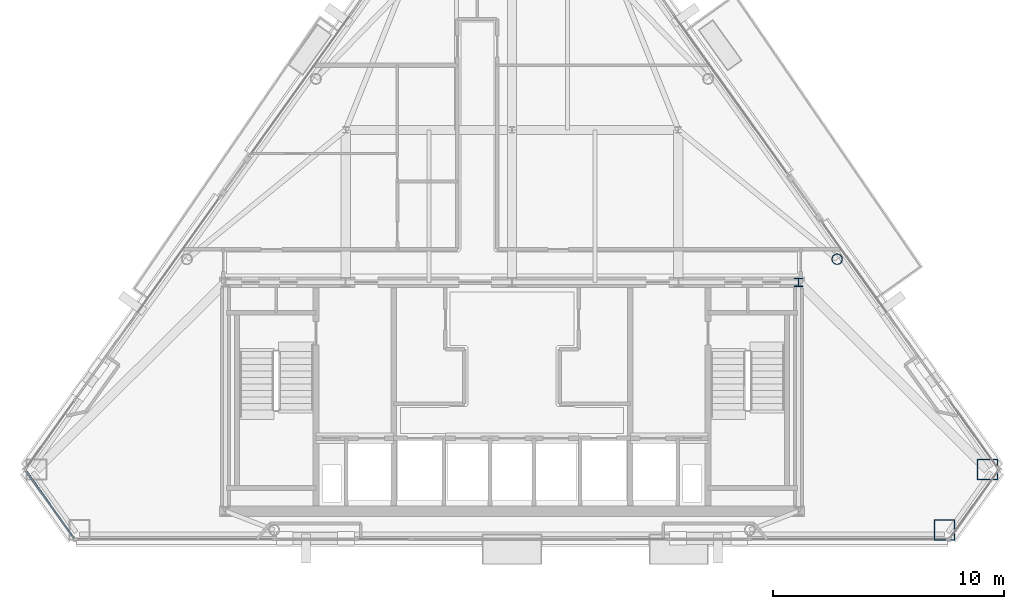
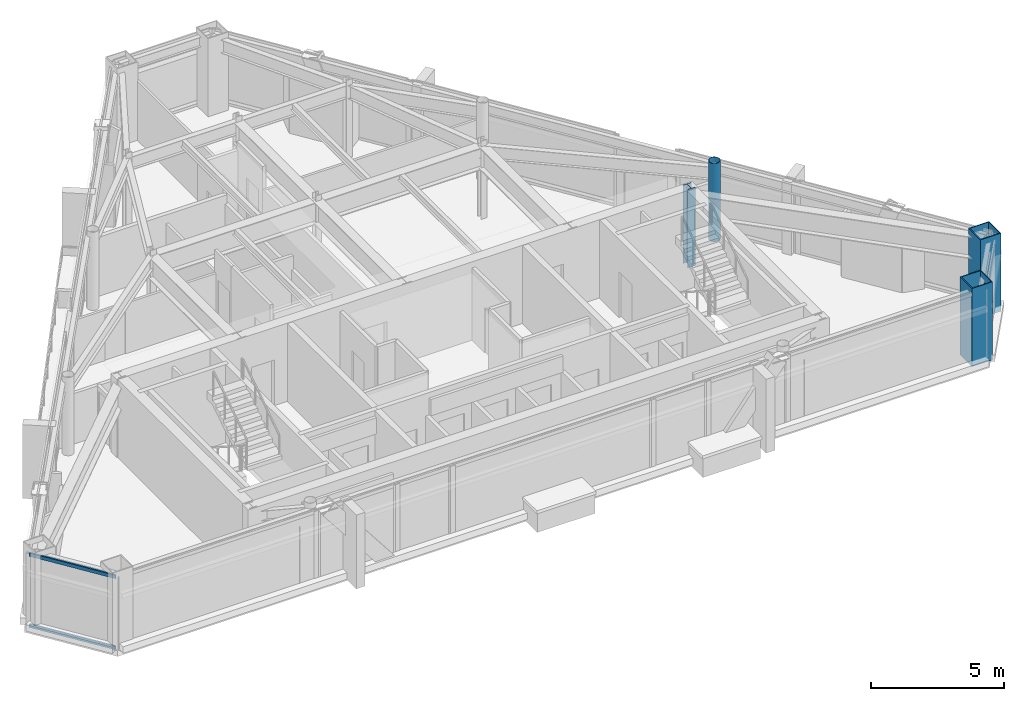
# One storey, part 3 of 12: 4 columns, 2 members, 1 element without a shape of its own.
"""IFC4 building model written with IfcOpenShell, lengths in metres."""

from ifc_helpers import new_model, si_unit, direction, frame, origin, origin_2d, place, context, subcontext, project, spatial, rectangle, hollow_rectangle, hollow_circle, i_section, extrude, material, layer, layer_set, material_profile, profile_set, type_object, element, aggregate, save


model = new_model("IFC4")

# Units and contexts
model_context = context("Model", 3, precision=1e-05, world=origin(), true_north=direction((0.0, 1.0)))
body_context = subcontext(model_context, "Body", "Model", "MODEL_VIEW")
ifc_project = project(units=[si_unit("LENGTHUNIT", "METRE"), si_unit("AREAUNIT", "SQUARE_METRE"), si_unit("VOLUMEUNIT", "CUBIC_METRE"), si_unit("PLANEANGLEUNIT", "RADIAN"), si_unit("MASSUNIT", "GRAM", prefix="KILO")], contexts=[model_context])

# Site, building, storey
site_placement = place(None, origin())
site = spatial("IfcSite", under=ifc_project, at=site_placement, CompositionType="ELEMENT")
building_placement = place(site_placement, origin())
building = spatial("IfcBuilding", under=site, at=building_placement, Name="Talgorran Terracotta Tower", CompositionType="ELEMENT")
storey_placement = place(building_placement, frame((0.0, 0.0, 270.60009765625)))
storey = spatial("IfcBuildingStorey", under=building, at=storey_placement, Name="L71", CompositionType="ELEMENT", Elevation=270.60009765625)

# Columns
ifc_material_1 = material(Name="Steel S355 (300PLUS)", Category="steel")
ifc_material_profile_1 = material_profile(ifc_material_1, i_section(OverallWidth=0.35205078125, OverallDepth=0.35888671875, WebThickness=0.01806640625, FlangeThickness=0.02587890625, at=origin_2d()), Name="350WC197")
ifc_profile_set_1 = profile_set([ifc_material_profile_1], Name="Steel S355 (300PLUS)")
column_type_1 = type_object("IfcColumnType", Name="COL_350WC197", PredefinedType="COLUMN", material=ifc_profile_set_1)
column_1_placement = place(storey_placement, frame((12.39990234375, -4.199951171875, 0.0), z_axis=(0.0, 0.0, 1.0), x_axis=(1.0, 0.0, 0.0)))
element("IfcColumn", 1, at=column_1_placement, inside=storey, type_object=column_type_1, Name="L71 Core Boundary Column CC3", PredefinedType="COLUMN", context=body_context, shape_type="SweptSolid", body=[
    extrude(i_section(OverallWidth=0.35205078125, OverallDepth=0.35888671875, WebThickness=0.01806640625, FlangeThickness=0.02587890625, at=origin_2d()), origin(), (0.0, 0.0, 1.0), 3.599853515625),
])
ifc_material_2 = material(Name="Steel Grade 350 (350L0)", Category="steel")
ifc_material_profile_2 = material_profile(ifc_material_2, hollow_rectangle(XDim=0.89990234375, YDim=0.89990234375, WallThickness=0.0400390625, at=origin_2d()), Name="CFT900X900X40")
ifc_profile_set_2 = profile_set([ifc_material_profile_2], Name="Steel Grade 350 (350L0)")
column_type_2 = type_object("IfcColumnType", Name="COL_CFT_900", PredefinedType="COLUMN", material=ifc_profile_set_2)
for number, where, z_axis, x_axis, name in (
    (2, (18.71435546875, -14.9189453125, 0.0), (0.0, 0.0, 1.0), (1.0, 0.0, 0.0), "L71 Corner CFT Mega-Column MC3"),
    (3, (20.5849609375, -12.303466796875, 0.0), (0.0, 0.0, 1.0), (1.0, 0.0, 0.0), "L71 Corner CFT Mega-Column MC4"),
):
    element("IfcColumn", number, at=place(storey_placement, frame(where, z_axis=z_axis, x_axis=x_axis)), inside=storey, type_object=column_type_2, Name=name, PredefinedType="COLUMN", context=body_context, shape_type="SweptSolid", body=[
        extrude(hollow_rectangle(XDim=0.89990234375, YDim=0.89990234375, WallThickness=0.0400390625, at=origin_2d()), origin(), (0.0, 0.0, 1.0), 3.599853515625),
    ])
ifc_material_3 = material(Name="Steel S350 (C350L0)", Category="steel")
ifc_material_profile_3 = material_profile(ifc_material_3, hollow_circle(Radius=0.228515625, WallThickness=0.01611328125, at=origin_2d()), Name="CHS457X16")
ifc_profile_set_3 = profile_set([ifc_material_profile_3], Name="Steel S350 (C350L0)")
column_type_3 = type_object("IfcColumnType", Name="COL_CHS_457", PredefinedType="COLUMN", material=ifc_profile_set_3)
column_2_placement = place(storey_placement, frame((14.071533203125, -3.1962890625, 0.0), z_axis=(0.0, 0.0, 1.0), x_axis=(1.0, 0.0, 0.0)))
element("IfcColumn", 4, at=column_2_placement, inside=storey, type_object=column_type_3, Name="L71 Facet Perimeter Column FC3", PredefinedType="COLUMN", context=body_context, shape_type="SweptSolid", body=[
    extrude(hollow_circle(Radius=0.228515625, WallThickness=0.01611328125, at=origin_2d()), origin(), (0.0, 0.0, 1.0), 3.599853515625),
])

# Curtain wall, members
ifc_material_4 = material(Name="High-Wind Unitised Glazing", Category="glass")
ifc_layer = layer(ifc_material_4, 0.2099609375, Name="CW_SYS3_RES_HIGH")
ifc_layer_set = layer_set([ifc_layer], Name="High-Wind Unitised Glazing")
curtain_wall_type = type_object("IfcCurtainWallType", Name="CW_SYS3_RES_HIGH", PredefinedType="NOTDEFINED", material=ifc_layer_set)
curtain_wall_placement = place(storey_placement, origin())
curtain_wall = element("IfcCurtainWall", 5, at=curtain_wall_placement, inside=storey, type_object=curtain_wall_type, Name="CW-L71-F0", PredefinedType="NOTDEFINED")
ifc_material_5 = material(Name="Architectural Aluminium 6063-T6", Category="aluminium")
ifc_material_profile_4 = material_profile(ifc_material_5, rectangle(XDim=0.070068359375, YDim=0.159912109375, at=origin_2d()), Name="CWT70X160")
ifc_profile_set_4 = profile_set([ifc_material_profile_4], Name="Architectural Aluminium 6063-T6")
member_type = type_object("IfcMemberType", Name="TRN_70X160", PredefinedType="USERDEFINED", material=ifc_profile_set_4)
member_1_placement = place(storey_placement, frame((-21.035888671875, -12.3603515625, 0.034912109375), z_axis=(0.581723630641, -0.813386511785, 0.0), x_axis=(0.813386511785, 0.581723630641, 0.0)))
member_1 = element("IfcMember", 6, at=member_1_placement, type_object=member_type, Name="CW-L71-0 transom 1.1", ObjectType="TRANSOM", PredefinedType="USERDEFINED", context=body_context, shape_type="SweptSolid", body=[
    extrude(rectangle(XDim=0.070068359375, YDim=0.159912109375, at=origin_2d()), origin(), (0.0, 0.0, 1.0), 3.5673828125),
])
member_2_placement = place(storey_placement, frame((-21.035888671875, -12.3603515625, 3.309814453125), z_axis=(0.581723630641, -0.813386511785, 0.0), x_axis=(0.813386511785, 0.581723630641, 0.0)))
member_2 = element("IfcMember", 7, at=member_2_placement, type_object=member_type, Name="CW-L71-0 transom 1.2", ObjectType="TRANSOM", PredefinedType="USERDEFINED", context=body_context, shape_type="SweptSolid", body=[
    extrude(rectangle(XDim=0.070068359375, YDim=0.159912109375, at=origin_2d()), origin(), (0.0, 0.0, 1.0), 3.5673828125),
])
aggregate(curtain_wall, [member_1, member_2])

save(model, "model.ifc")
